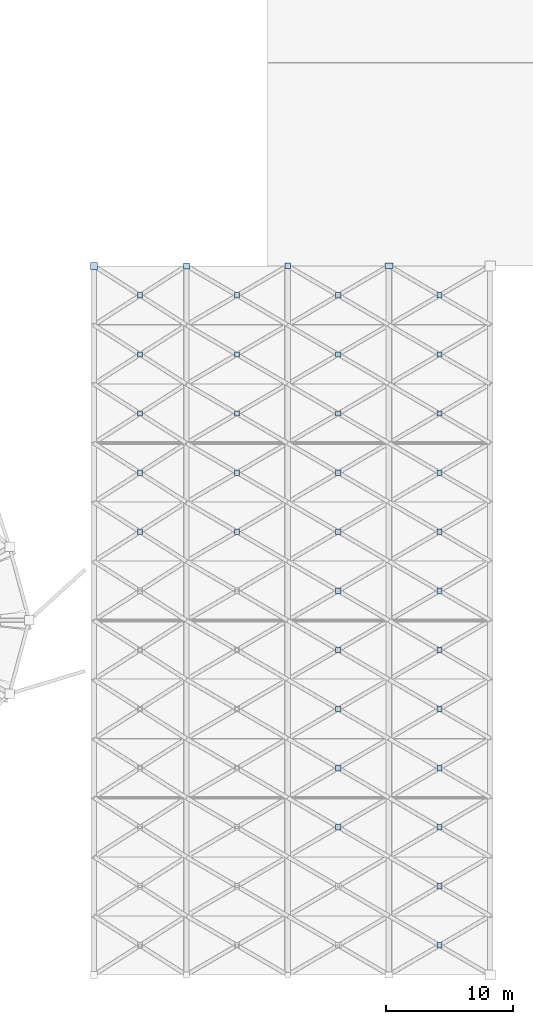
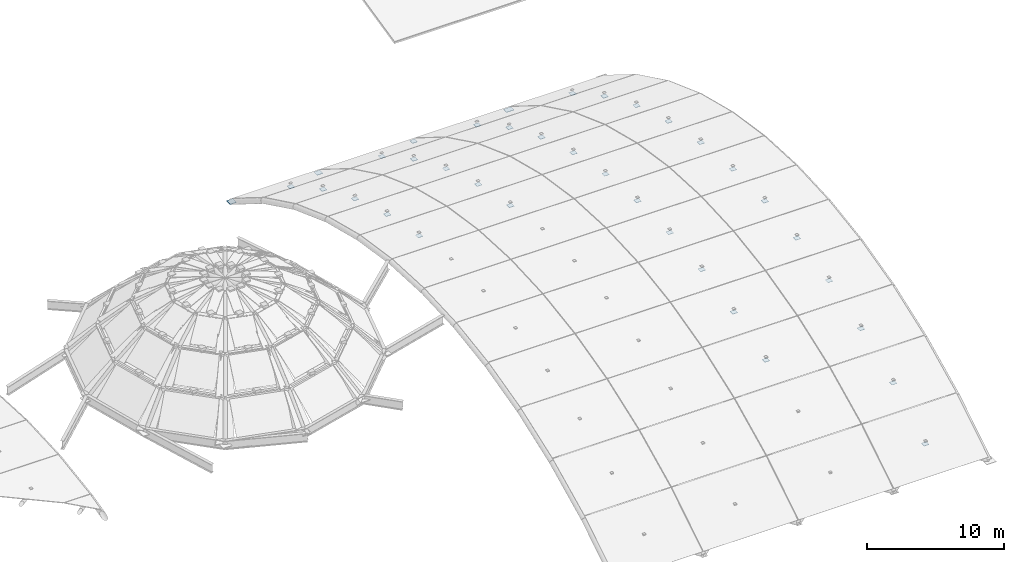
# One storey, part 16 of 21: 36 plates.
"""IFC4 building model written with IfcOpenShell, lengths in metres."""

from ifc_helpers import new_model, si_unit, direction, frame, origin, origin_2d, place, context, subcontext, project, spatial, rectangle, extrude, material, layer, layer_set, type_object, element, save


model = new_model("IFC4")

# Units and contexts
model_context = context("Model", 3, precision=1e-05, world=origin(), true_north=direction((0.0, 1.0)))
body_context = subcontext(model_context, "Body", "Model", "MODEL_VIEW")
ifc_project = project(units=[si_unit("LENGTHUNIT", "METRE"), si_unit("AREAUNIT", "SQUARE_METRE"), si_unit("VOLUMEUNIT", "CUBIC_METRE"), si_unit("PLANEANGLEUNIT", "RADIAN"), si_unit("MASSUNIT", "GRAM", prefix="KILO")], contexts=[model_context])

# Site, building, storey
site_placement = place(None, origin())
site = spatial("IfcSite", under=ifc_project, at=site_placement, CompositionType="ELEMENT")
building_placement = place(site_placement, origin())
building = spatial("IfcBuilding", under=site, at=building_placement, Name="Solmirada Galleria", CompositionType="ELEMENT")
storey_placement = place(building_placement, frame((0.0, 0.0, 37.5)))
storey = spatial("IfcBuildingStorey", under=building, at=storey_placement, Name="RF", CompositionType="ELEMENT", Elevation=37.5)

# Plates
ifc_material = material(Name="Steel S355 / ASTM A572 Grade 50", Category="steel")
ifc_layer_1 = layer(ifc_material, 0.031982421875)
ifc_layer_set_1 = layer_set([ifc_layer_1], Name="Steel S355 / ASTM A572 Grade 50")
plate_type_1 = type_object("IfcPlateType", Name="PLT-NODE-01", PredefinedType="SHEET", material=ifc_layer_set_1)
plate_1_placement = place(storey_placement, frame((112.699951171875, 88.0, -9.3759765625), z_axis=(0.0, 0.0, 1.0), x_axis=(1.0, 0.0, 0.0)))
element("IfcPlate", 1, at=plate_1_placement, inside=storey, type_object=plate_type_1, Name="Barrel vault arch shoe node plate E00-2", PredefinedType="SHEET", context=body_context, shape_type="SweptSolid", body=[
    extrude(rectangle(XDim=0.550048828125, YDim=0.550048828125, at=origin_2d()), origin(), (0.0, 0.0, 1.0), 0.031982421875),
])
ifc_layer_2 = layer(ifc_material, 0.028076171875)
ifc_layer_set_2 = layer_set([ifc_layer_2], Name="Steel S355 / ASTM A572 Grade 50")
plate_type_2 = type_object("IfcPlateType", Name="PLT-NODE-02", PredefinedType="SHEET", material=ifc_layer_set_2)
plate_2_placement = place(storey_placement, frame((120.0, 88.0, -9.3740234375), z_axis=(0.0, 0.0, 1.0), x_axis=(1.0, 0.0, 0.0)))
element("IfcPlate", 2, at=plate_2_placement, inside=storey, type_object=plate_type_2, Name="Barrel vault arch shoe node plate E01-2", PredefinedType="SHEET", context=body_context, shape_type="SweptSolid", body=[
    extrude(rectangle(XDim=0.47998046875, YDim=0.47998046875, at=origin_2d()), origin(), (0.0, 0.0, 1.0), 0.028076171875),
])
ifc_layer_3 = layer(ifc_material, 0.02490234375)
ifc_layer_set_3 = layer_set([ifc_layer_3], Name="Steel S355 / ASTM A572 Grade 50")
plate_type_3 = type_object("IfcPlateType", Name="PLT-NODE-03", PredefinedType="SHEET", material=ifc_layer_set_3)
for number, where, z_axis, x_axis, name in (
    (3, (128.0, 88.0, -9.37255859375), (0.0, 0.0, 1.0), (1.0, 0.0, 0.0), "Barrel vault arch shoe node plate E02-2"),
    (4, (116.35009765625, 67.0, -0.9521484375), (0.0, 0.0, 1.0), (1.0, 0.0, 0.0), "Barrel gridshell X-brace crossing node plate E00-07"),
    (5, (116.35009765625, 71.666748046875, -1.892822265625), (0.0, 0.0, 1.0), (1.0, 0.0, 0.0), "Barrel gridshell X-brace crossing node plate E00-08"),
    (6, (116.35009765625, 76.333251953125, -3.334716796875), (0.0, 0.0, 1.0), (1.0, 0.0, 0.0), "Barrel gridshell X-brace crossing node plate E00-09"),
    (7, (116.35009765625, 81.0, -5.3193359375), (0.0, 0.0, 1.0), (1.0, 0.0, 0.0), "Barrel gridshell X-brace crossing node plate E00-10"),
    (8, (116.35009765625, 85.666748046875, -7.913330078125), (0.0, 0.0, 1.0), (1.0, 0.0, 0.0), "Barrel gridshell X-brace crossing node plate E00-11"),
    (9, (124.0, 67.0, -0.9521484375), (0.0, 0.0, 1.0), (1.0, 0.0, 0.0), "Barrel gridshell X-brace crossing node plate E01-07"),
    (10, (124.0, 71.666748046875, -1.892822265625), (0.0, 0.0, 1.0), (1.0, 0.0, 0.0), "Barrel gridshell X-brace crossing node plate E01-08"),
    (11, (124.0, 76.333251953125, -3.334716796875), (0.0, 0.0, 1.0), (1.0, 0.0, 0.0), "Barrel gridshell X-brace crossing node plate E01-09"),
    (12, (124.0, 81.0, -5.3193359375), (0.0, 0.0, 1.0), (1.0, 0.0, 0.0), "Barrel gridshell X-brace crossing node plate E01-10"),
    (13, (124.0, 85.666748046875, -7.913330078125), (0.0, 0.0, 1.0), (1.0, 0.0, 0.0), "Barrel gridshell X-brace crossing node plate E01-11"),
    (14, (132.0, 43.666748046875, -3.334716796875), (0.0, 0.0, 1.0), (1.0, 0.0, 0.0), "Barrel gridshell X-brace crossing node plate E02-02"),
    (15, (132.0, 48.333251953125, -1.892822265625), (0.0, 0.0, 1.0), (1.0, 0.0, 0.0), "Barrel gridshell X-brace crossing node plate E02-03"),
    (16, (132.0, 53.0, -0.9521484375), (0.0, 0.0, 1.0), (1.0, 0.0, 0.0), "Barrel gridshell X-brace crossing node plate E02-04"),
    (17, (132.0, 57.666748046875, -0.48779296875), (0.0, 0.0, 1.0), (1.0, 0.0, 0.0), "Barrel gridshell X-brace crossing node plate E02-05"),
    (18, (132.0, 62.33349609375, -0.48779296875), (0.0, 0.0, 1.0), (1.0, 0.0, 0.0), "Barrel gridshell X-brace crossing node plate E02-06"),
    (19, (132.0, 67.0, -0.9521484375), (0.0, 0.0, 1.0), (1.0, 0.0, 0.0), "Barrel gridshell X-brace crossing node plate E02-07"),
    (20, (132.0, 71.666748046875, -1.892822265625), (0.0, 0.0, 1.0), (1.0, 0.0, 0.0), "Barrel gridshell X-brace crossing node plate E02-08"),
    (21, (132.0, 76.333251953125, -3.334716796875), (0.0, 0.0, 1.0), (1.0, 0.0, 0.0), "Barrel gridshell X-brace crossing node plate E02-09"),
    (22, (132.0, 81.0, -5.3193359375), (0.0, 0.0, 1.0), (1.0, 0.0, 0.0), "Barrel gridshell X-brace crossing node plate E02-10"),
    (23, (132.0, 85.666748046875, -7.913330078125), (0.0, 0.0, 1.0), (1.0, 0.0, 0.0), "Barrel gridshell X-brace crossing node plate E02-11"),
    (24, (140.0, 34.333251953125, -7.913330078125), (0.0, 0.0, 1.0), (1.0, 0.0, 0.0), "Barrel gridshell X-brace crossing node plate E03-00"),
    (25, (140.0, 39.0, -5.3193359375), (0.0, 0.0, 1.0), (1.0, 0.0, 0.0), "Barrel gridshell X-brace crossing node plate E03-01"),
    (26, (140.0, 43.666748046875, -3.334716796875), (0.0, 0.0, 1.0), (1.0, 0.0, 0.0), "Barrel gridshell X-brace crossing node plate E03-02"),
    (27, (140.0, 48.333251953125, -1.892822265625), (0.0, 0.0, 1.0), (1.0, 0.0, 0.0), "Barrel gridshell X-brace crossing node plate E03-03"),
    (28, (140.0, 53.0, -0.9521484375), (0.0, 0.0, 1.0), (1.0, 0.0, 0.0), "Barrel gridshell X-brace crossing node plate E03-04"),
    (29, (140.0, 57.666748046875, -0.48779296875), (0.0, 0.0, 1.0), (1.0, 0.0, 0.0), "Barrel gridshell X-brace crossing node plate E03-05"),
    (30, (140.0, 62.33349609375, -0.48779296875), (0.0, 0.0, 1.0), (1.0, 0.0, 0.0), "Barrel gridshell X-brace crossing node plate E03-06"),
    (31, (140.0, 67.0, -0.9521484375), (0.0, 0.0, 1.0), (1.0, 0.0, 0.0), "Barrel gridshell X-brace crossing node plate E03-07"),
    (32, (140.0, 71.666748046875, -1.892822265625), (0.0, 0.0, 1.0), (1.0, 0.0, 0.0), "Barrel gridshell X-brace crossing node plate E03-08"),
    (33, (140.0, 76.333251953125, -3.334716796875), (0.0, 0.0, 1.0), (1.0, 0.0, 0.0), "Barrel gridshell X-brace crossing node plate E03-09"),
    (34, (140.0, 81.0, -5.3193359375), (0.0, 0.0, 1.0), (1.0, 0.0, 0.0), "Barrel gridshell X-brace crossing node plate E03-10"),
    (35, (140.0, 85.666748046875, -7.913330078125), (0.0, 0.0, 1.0), (1.0, 0.0, 0.0), "Barrel gridshell X-brace crossing node plate E03-11"),
):
    element("IfcPlate", number, at=place(storey_placement, frame(where, z_axis=z_axis, x_axis=x_axis)), inside=storey, type_object=plate_type_3, Name=name, PredefinedType="SHEET", context=body_context, shape_type="SweptSolid", body=[
        extrude(rectangle(XDim=0.419921875, YDim=0.419921875, at=origin_2d()), origin(), (0.0, 0.0, 1.0), 0.02490234375),
    ])
ifc_layer_4 = layer(ifc_material, 0.035888671875)
ifc_layer_set_4 = layer_set([ifc_layer_4], Name="Steel S355 / ASTM A572 Grade 50")
plate_type_4 = type_object("IfcPlateType", Name="PLT-NODE-04", PredefinedType="SHEET", material=ifc_layer_set_4)
plate_3_placement = place(storey_placement, frame((136.0, 88.0, -9.3779296875), z_axis=(0.0, 0.0, 1.0), x_axis=(1.0, 0.0, 0.0)))
element("IfcPlate", 36, at=plate_3_placement, inside=storey, type_object=plate_type_4, Name="Barrel vault arch shoe node plate E03-2", PredefinedType="SHEET", context=body_context, shape_type="SweptSolid", body=[
    extrude(rectangle(XDim=0.64990234375, YDim=0.449951171875, at=origin_2d()), origin(), (0.0, 0.0, 1.0), 0.035888671875),
])

save(model, "model.ifc")
